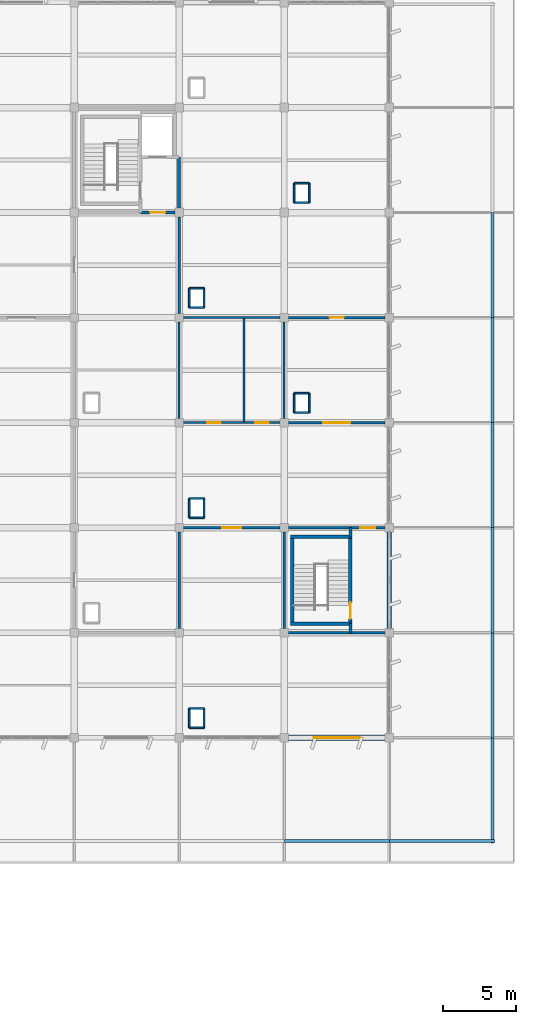
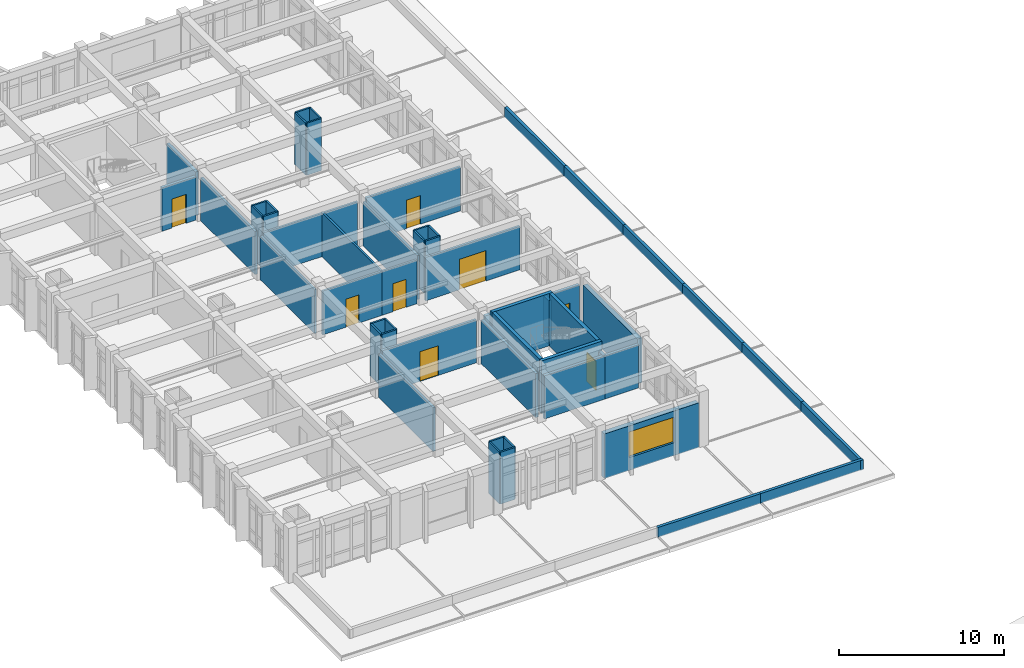
# One storey, part 56 of 62: 54 walls, 8 doors, 1 window, 9 openings.
"""IFC4 building model written with IfcOpenShell, lengths in metres."""

from ifc_helpers import new_model, si_unit, direction, frame, frame_2d, origin, place, context, subcontext, project, spatial, rectangle, extrude, material, layer, layer_set, type_object, element, fill, save


model = new_model("IFC4")

# Units and contexts
model_context = context("Model", 3, precision=1e-05, world=origin(), true_north=direction((0.0, 1.0)))
body_context = subcontext(model_context, "Body", "Model", "MODEL_VIEW")
ifc_project = project(units=[si_unit("LENGTHUNIT", "METRE"), si_unit("AREAUNIT", "SQUARE_METRE"), si_unit("VOLUMEUNIT", "CUBIC_METRE"), si_unit("PLANEANGLEUNIT", "RADIAN"), si_unit("MASSUNIT", "GRAM", prefix="KILO")], contexts=[model_context])

# Site, building, storey
site_placement = place(None, origin())
site = spatial("IfcSite", under=ifc_project, at=site_placement, CompositionType="ELEMENT")
building_placement = place(site_placement, origin())
building = spatial("IfcBuilding", under=site, at=building_placement, Name="Kavelor Marine Aquarium", CompositionType="ELEMENT")
storey_placement = place(building_placement, frame((0.0, 0.0, 13.5)))
storey = spatial("IfcBuildingStorey", under=building, at=storey_placement, Name="L03", CompositionType="ELEMENT", Elevation=13.5)

# Wall, opening, window
ifc_material_1 = material(Name="Concrete C45/55", Category="concrete")
ifc_layer_1 = layer(ifc_material_1, 0.360107421875)
ifc_layer_set_1 = layer_set([ifc_layer_1], Name="WL-EX1")
wall_type_1 = type_object("IfcWallType", Name="WL-EX1", PredefinedType="STANDARD", material=ifc_layer_set_1)
wall_1_placement = place(storey_placement, frame((146.905029296875, 60.39990234375, 0.0), z_axis=(0.0, 0.0, 1.0), x_axis=(-1.0, 0.0, 0.0)))
wall_1 = element("IfcWall", 1, at=wall_1_placement, inside=storey, type_object=wall_type_1, Name="ew:x:L03:19_08", PredefinedType="STANDARD", context=body_context, shape_type="SweptSolid", body=[
    extrude(rectangle(XDim=6.610107421875, YDim=0.360107421875, at=frame_2d((3.30517578125, 0.0))), origin(), (0.0, 0.0, 1.0), 3.300048828125),
])
opening_1_placement = place(wall_1_placement, frame((1.72998046875, 0.0, 0.949951171875)))
opening_1 = element("IfcOpeningElement", 2, at=opening_1_placement, cuts=wall_1, Name="Opening W21", PredefinedType="OPENING", context=body_context, shape_type="SweptSolid", body=[
    extrude(rectangle(XDim=3.14990234375, YDim=1.89990234375, at=frame_2d((1.574951171875, 0.949951171875))), frame((0.0, 0.18994140625, 0.0), z_axis=(0.0, -1.0, 0.0), x_axis=(1.0, 0.0, 0.0)), (0.0, 0.0, 1.0), 0.380107),
])
ifc_material_2 = material(Name="Anodised Aluminium Frame with Low-E Double Glazing", Category="aluminium")
window_type = type_object("IfcWindowType", Name="WIN-W21", PartitioningType="DOUBLE_PANEL_VERTICAL", PredefinedType="WINDOW", material=ifc_material_2)
window_placement = place(opening_1_placement, origin())
window = element("IfcWindow", 3, at=window_placement, inside=storey, type_object=window_type, Name="win:x:L03:19_08", OverallHeight=1.89990234375, OverallWidth=3.14990234375, PartitioningType="SINGLE_PANEL", PredefinedType="WINDOW", context=body_context, shape_type="SweptSolid", body=[
    extrude(rectangle(XDim=3.14990234375, YDim=1.89990234375, at=frame_2d((1.574951171875, 0.949951171875))), frame((0.0, 0.030029296875, 0.0), z_axis=(0.0, -1.0, 0.0), x_axis=(1.0, 0.0, 0.0)), (0.0, 0.0, 1.0), 0.06005859375),
])
fill(opening_1, window)

# Walls
ifc_material_3 = material(Name="Concrete C40/50", Category="concrete")
ifc_layer_2 = layer(ifc_material_3, 0.300048828125)
ifc_layer_set_2 = layer_set([ifc_layer_2], Name="WL-EX3")
wall_type_2 = type_object("IfcWallType", Name="WL-EX3", PredefinedType="STANDARD", material=ifc_layer_set_2)
wall_2_placement = place(storey_placement, frame((147.199951171875, 74.5048828125, 0.0), z_axis=(0.0, 0.0, 1.0), x_axis=(0.0, -1.0, 0.0)))
element("IfcWall", 4, at=wall_2_placement, inside=storey, type_object=wall_type_2, Name="ew:y:L03:20_09", PredefinedType="STANDARD", context=body_context, shape_type="SweptSolid", body=[
    extrude(rectangle(XDim=6.60986328125, YDim=0.300048828125, at=frame_2d((3.304931640625, 0.0))), origin(), (0.0, 0.0, 1.0), 3.320068359375),
])
ifc_material_4 = material(Name="Concrete C40/50", Category="concrete")
ifc_layer_3 = layer(ifc_material_4, 0.199951171875)
ifc_layer_set_3 = layer_set([ifc_layer_3], Name="WL-PR3")
wall_type_3 = type_object("IfcWallType", Name="WL-PR3", PredefinedType="PARAPET", material=ifc_layer_set_3)
for number, where, z_axis, x_axis, name in (
    (5, (140.0, 53.320068359375, 0.0), (0.0, 0.0, 1.0), (1.0, 0.0, 0.0), "par:s:L03:19_07"),
    (6, (147.199951171875, 53.320068359375, 0.0), (0.0, 0.0, 1.0), (1.0, 0.0, 0.0), "par:s:L03:20_07"),
    (7, (154.280029296875, 53.199951171875, 0.0), (0.0, 0.0, 1.0), (0.0, 1.0, 0.0), "par:e:L03:20_07"),
):
    element("IfcWall", number, at=place(storey_placement, frame(where, z_axis=z_axis, x_axis=x_axis)), inside=storey, type_object=wall_type_3, Name=name, PredefinedType="PARAPET", context=body_context, shape_type="SweptSolid", body=[
        extrude(rectangle(XDim=7.199951171875, YDim=0.199951171875, at=frame_2d((3.60009765625, 0.0))), origin(), (0.0, 0.0, 1.0), 0.719970703125),
    ])
wall_3_placement = place(storey_placement, frame((154.280029296875, 60.39990234375, 0.0), z_axis=(0.0, 0.0, 1.0), x_axis=(0.0, 1.0, 0.0)))
element("IfcWall", 8, at=wall_3_placement, inside=storey, type_object=wall_type_3, Name="par:e:L03:20_08", PredefinedType="PARAPET", context=body_context, shape_type="SweptSolid", body=[
    extrude(rectangle(XDim=7.2001953125, YDim=0.199951171875, at=frame_2d((3.60009765625, 0.0))), origin(), (0.0, 0.0, 1.0), 0.719970703125),
])
for number, where, z_axis, x_axis, name in (
    (9, (154.280029296875, 67.60009765625, 0.0), (0.0, 0.0, 1.0), (0.0, 1.0, 0.0), "par:e:L03:20_09"),
    (10, (154.280029296875, 74.800048828125, 0.0), (0.0, 0.0, 1.0), (0.0, 1.0, 0.0), "par:e:L03:20_10"),
    (11, (154.280029296875, 82.0, 0.0), (0.0, 0.0, 1.0), (0.0, 1.0, 0.0), "par:e:L03:20_11"),
    (12, (154.280029296875, 89.199951171875, 0.0), (0.0, 0.0, 1.0), (0.0, 1.0, 0.0), "par:e:L03:20_12"),
):
    element("IfcWall", number, at=place(storey_placement, frame(where, z_axis=z_axis, x_axis=x_axis)), inside=storey, type_object=wall_type_3, Name=name, PredefinedType="PARAPET", context=body_context, shape_type="SweptSolid", body=[
        extrude(rectangle(XDim=7.199951171875, YDim=0.199951171875, at=frame_2d((3.60009765625, 0.0))), origin(), (0.0, 0.0, 1.0), 0.719970703125),
    ])
ifc_material_5 = material(Name="Concrete Blockwork Partition", Category="masonry")
ifc_layer_4 = layer(ifc_material_5, 0.199951171875)
ifc_layer_set_4 = layer_set([ifc_layer_4], Name="WL-PT1")
wall_type_4 = type_object("IfcWallType", Name="WL-PT1", PredefinedType="PARTITIONING", material=ifc_layer_set_4)
wall_4_placement = place(storey_placement, frame((132.800048828125, 96.699951171875, 0.0), z_axis=(0.0, 0.0, 1.0), x_axis=(0.0, 1.0, 0.0)))
element("IfcWall", 13, at=wall_4_placement, inside=storey, type_object=wall_type_4, Name="pt:lob:C10:L03:e", PredefinedType="PARTITIONING", context=body_context, shape_type="SweptSolid", body=[
    extrude(rectangle(XDim=3.5, YDim=0.199951171875, at=frame_2d((1.75, 0.0))), origin(), (0.0, 0.0, 1.0), 3.25),
])

# Wall, opening, door
wall_5_placement = place(storey_placement, frame((130.139892578125, 96.39990234375, 0.0), z_axis=(0.0, 0.0, 1.0), x_axis=(1.0, 0.0, 0.0)))
wall_5 = element("IfcWall", 14, at=wall_5_placement, inside=storey, type_object=wall_type_4, Name="pt:lob:C10:L03:s", PredefinedType="PARTITIONING", context=body_context, shape_type="SweptSolid", body=[
    extrude(rectangle(XDim=2.360107421875, YDim=0.199951171875, at=frame_2d((1.18017578125, 0.0))), origin(), (0.0, 0.0, 1.0), 3.219970703125),
])
opening_2_placement = place(wall_5_placement, frame((0.669921875, 0.0, 0.0)))
opening_2 = element("IfcOpeningElement", 15, at=opening_2_placement, cuts=wall_5, Name="Opening SD1", PredefinedType="OPENING", context=body_context, shape_type="SweptSolid", body=[
    extrude(rectangle(XDim=1.02001953125, YDim=2.14990234375, at=frame_2d((0.510009765625, 1.074951171875))), frame((0.0, 0.10986328125, 0.0), z_axis=(0.0, -1.0, 0.0), x_axis=(1.0, 0.0, 0.0)), (0.0, 0.0, 1.0), 0.219951),
])
ifc_material_6 = material(Name="Fire-Rated Corridor Compartment Door")
door_type_1 = type_object("IfcDoorType", Name="DR-SD1", OperationType="NOTDEFINED", PredefinedType="DOOR", material=ifc_material_6)
door_1_placement = place(opening_2_placement, origin())
door_1 = element("IfcDoor", 16, at=door_1_placement, inside=storey, type_object=door_type_1, Name="Core Lobby Fire Door C10-L03", OperationType="SINGLE_SWING_RIGHT", OverallHeight=2.14990234375, OverallWidth=1.02001953125, PredefinedType="DOOR", context=body_context, shape_type="SweptSolid", body=[
    extrude(rectangle(XDim=1.02001953125, YDim=2.14990234375, at=frame_2d((0.510009765625, 1.074951171875))), frame((0.0, 0.02490234375, 0.0), z_axis=(0.0, -1.0, 0.0), x_axis=(1.0, 0.0, 0.0)), (0.0, 0.0, 1.0), 0.050048828125),
])
fill(opening_2, door_1)

# Walls
wall_6_placement = place(storey_placement, frame((144.5400390625, 67.60009765625, 0.0), z_axis=(0.0, 0.0, 1.0), x_axis=(0.0, 1.0, 0.0)))
element("IfcWall", 17, at=wall_6_placement, inside=storey, type_object=wall_type_4, Name="pt:st_close:s:C11:L03", PredefinedType="PARTITIONING", context=body_context, shape_type="SweptSolid", body=[
    extrude(rectangle(XDim=0.619873046875, YDim=0.199951171875, at=frame_2d((0.31005859375, 0.0))), origin(), (0.0, 0.0, 1.0), 3.199951171875),
])
wall_7_placement = place(storey_placement, frame((144.5400390625, 74.179931640625, 0.0), z_axis=(0.0, 0.0, 1.0), x_axis=(0.0, 1.0, 0.0)))
element("IfcWall", 18, at=wall_7_placement, inside=storey, type_object=wall_type_4, Name="pt:st_close:n:C11:L03", PredefinedType="PARTITIONING", context=body_context, shape_type="SweptSolid", body=[
    extrude(rectangle(XDim=0.6201171875, YDim=0.199951171875, at=frame_2d((0.31005859375, 0.0))), origin(), (0.0, 0.0, 1.0), 3.27001953125),
])
wall_8_placement = place(storey_placement, frame((140.0, 67.89990234375, 0.0), z_axis=(0.0, 0.0, 1.0), x_axis=(0.0, 1.0, 0.0)))
element("IfcWall", 19, at=wall_8_placement, inside=storey, type_object=wall_type_4, Name="pt:lob:C11:L03:w", PredefinedType="PARTITIONING", context=body_context, shape_type="SweptSolid", body=[
    extrude(rectangle(XDim=6.60009765625, YDim=0.199951171875, at=frame_2d((3.300048828125, 0.0))), origin(), (0.0, 0.0, 1.0), 3.25),
])
wall_9_placement = place(storey_placement, frame((140.300048828125, 67.60009765625, 0.0), z_axis=(0.0, 0.0, 1.0), x_axis=(1.0, 0.0, 0.0)))
element("IfcWall", 20, at=wall_9_placement, inside=storey, type_object=wall_type_4, Name="pt:lob:C11:L03:s_st", PredefinedType="PARTITIONING", context=body_context, shape_type="SweptSolid", body=[
    extrude(rectangle(XDim=4.239990234375, YDim=0.199951171875, at=frame_2d((2.1201171875, 0.0))), origin(), (0.0, 0.0, 1.0), 3.199951171875),
])
wall_10_placement = place(storey_placement, frame((144.5400390625, 67.60009765625, 0.0), z_axis=(0.0, 0.0, 1.0), x_axis=(1.0, 0.0, 0.0)))
element("IfcWall", 21, at=wall_10_placement, inside=storey, type_object=wall_type_4, Name="pt:lob:C11:L03:s", PredefinedType="PARTITIONING", context=body_context, shape_type="SweptSolid", body=[
    extrude(rectangle(XDim=2.35986328125, YDim=0.199951171875, at=frame_2d((1.179931640625, 0.0))), origin(), (0.0, 0.0, 1.0), 3.199951171875),
])
wall_11_placement = place(storey_placement, frame((140.300048828125, 74.800048828125, 0.0), z_axis=(0.0, 0.0, 1.0), x_axis=(1.0, 0.0, 0.0)))
element("IfcWall", 22, at=wall_11_placement, inside=storey, type_object=wall_type_4, Name="pt:lob:C11:L03:n_st", PredefinedType="PARTITIONING", context=body_context, shape_type="SweptSolid", body=[
    extrude(rectangle(XDim=4.239990234375, YDim=0.199951171875, at=frame_2d((2.1201171875, 0.0))), origin(), (0.0, 0.0, 1.0), 3.27001953125),
])

# Wall, opening, door
wall_12_placement = place(storey_placement, frame((144.5400390625, 74.800048828125, 0.0), z_axis=(0.0, 0.0, 1.0), x_axis=(1.0, 0.0, 0.0)))
wall_12 = element("IfcWall", 23, at=wall_12_placement, inside=storey, type_object=wall_type_4, Name="pt:lob:C11:L03:n", PredefinedType="PARTITIONING", context=body_context, shape_type="SweptSolid", body=[
    extrude(rectangle(XDim=2.35986328125, YDim=0.199951171875, at=frame_2d((1.179931640625, 0.0))), origin(), (0.0, 0.0, 1.0), 3.27001953125),
])
opening_3_placement = place(wall_12_placement, frame((0.669921875, 0.0, 0.0)))
opening_3 = element("IfcOpeningElement", 24, at=opening_3_placement, cuts=wall_12, Name="Opening SD1", PredefinedType="OPENING", context=body_context, shape_type="SweptSolid", body=[
    extrude(rectangle(XDim=1.02001953125, YDim=2.14990234375, at=frame_2d((0.510009765625, 1.074951171875))), frame((0.0, 0.10986328125, 0.0), z_axis=(0.0, -1.0, 0.0), x_axis=(1.0, 0.0, 0.0)), (0.0, 0.0, 1.0), 0.219951),
])
door_2_placement = place(opening_3_placement, origin())
door_2 = element("IfcDoor", 25, at=door_2_placement, inside=storey, type_object=door_type_1, Name="Core Lobby Fire Door C11-L03", OperationType="SINGLE_SWING_RIGHT", OverallHeight=2.14990234375, OverallWidth=1.02001953125, PredefinedType="DOOR", context=body_context, shape_type="SweptSolid", body=[
    extrude(rectangle(XDim=1.02001953125, YDim=2.14990234375, at=frame_2d((0.510009765625, 1.074951171875))), frame((0.0, 0.02490234375, 0.0), z_axis=(0.0, -1.0, 0.0), x_axis=(1.0, 0.0, 0.0)), (0.0, 0.0, 1.0), 0.050048828125),
])
fill(opening_3, door_2)

# Walls
ifc_material_7 = material(Name="Acoustic Gypsum Stud Partition")
ifc_layer_5 = layer(ifc_material_7, 0.159912109375)
ifc_layer_set_5 = layer_set([ifc_layer_5], Name="WL-PT2")
wall_type_5 = type_object("IfcWallType", Name="WL-PT2", PredefinedType="PARTITIONING", material=ifc_layer_set_5)
wall_13_placement = place(storey_placement, frame((132.800048828125, 67.89990234375, 0.0), z_axis=(0.0, 0.0, 1.0), x_axis=(0.0, 1.0, 0.0)))
element("IfcWall", 26, at=wall_13_placement, inside=storey, type_object=wall_type_5, Name="pt:y:L03:17_09", PredefinedType="PARTITIONING", context=body_context, shape_type="SweptSolid", body=[
    extrude(rectangle(XDim=6.60009765625, YDim=0.159912109375, at=frame_2d((3.300048828125, 0.0))), origin(), (0.0, 0.0, 1.0), 3.25),
])
wall_14_placement = place(storey_placement, frame((132.800048828125, 89.5, 0.0), z_axis=(0.0, 0.0, 1.0), x_axis=(0.0, 1.0, 0.0)))
element("IfcWall", 27, at=wall_14_placement, inside=storey, type_object=wall_type_5, Name="pt:y:L03:17_12", PredefinedType="PARTITIONING", context=body_context, shape_type="SweptSolid", body=[
    extrude(rectangle(XDim=6.60009765625, YDim=0.159912109375, at=frame_2d((3.300048828125, 0.0))), origin(), (0.0, 0.0, 1.0), 3.199951171875),
])

# Wall, opening, door
wall_15_placement = place(storey_placement, frame((133.10009765625, 74.800048828125, 0.0), z_axis=(0.0, 0.0, 1.0), x_axis=(1.0, 0.0, 0.0)))
wall_15 = element("IfcWall", 28, at=wall_15_placement, inside=storey, type_object=wall_type_5, Name="pt:x:L03:18_09", PredefinedType="PARTITIONING", context=body_context, shape_type="SweptSolid", body=[
    extrude(rectangle(XDim=6.599853515625, YDim=0.159912109375, at=frame_2d((3.2998046875, 0.0))), origin(), (0.0, 0.0, 1.0), 3.199951171875),
])
opening_4_placement = place(wall_15_placement, frame((2.659912109375, 0.0, 0.0)))
opening_4 = element("IfcOpeningElement", 29, at=opening_4_placement, cuts=wall_15, Name="Opening D10", PredefinedType="OPENING", context=body_context, shape_type="SweptSolid", body=[
    extrude(rectangle(XDim=1.280029296875, YDim=2.199951171875, at=frame_2d((0.64013671875, 1.10009765625))), frame((0.0, 0.08984375, 0.0), z_axis=(0.0, -1.0, 0.0), x_axis=(1.0, 0.0, 0.0)), (0.0, 0.0, 1.0), 0.179912),
])
ifc_material_8 = material(Name="Equipment Store Wide Leaf Door")
door_type_2 = type_object("IfcDoorType", Name="DR-D10", OperationType="NOTDEFINED", PredefinedType="DOOR", material=ifc_material_8)
door_3_placement = place(opening_4_placement, origin())
door_3 = element("IfcDoor", 30, at=door_3_placement, inside=storey, type_object=door_type_2, Name="dr:rm:pt:x:L03:18_09:1", OperationType="SINGLE_SWING_LEFT", OverallHeight=2.199951171875, OverallWidth=1.280029296875, PredefinedType="DOOR", context=body_context, shape_type="SweptSolid", body=[
    extrude(rectangle(XDim=1.280029296875, YDim=2.199951171875, at=frame_2d((0.64013671875, 1.10009765625))), frame((0.0, 0.02490234375, 0.0), z_axis=(0.0, -1.0, 0.0), x_axis=(1.0, 0.0, 0.0)), (0.0, 0.0, 1.0), 0.050048828125),
])
fill(opening_4, door_3)

wall_16_placement = place(storey_placement, frame((140.300048828125, 82.0, 0.0), z_axis=(0.0, 0.0, 1.0), x_axis=(1.0, 0.0, 0.0)))
wall_16 = element("IfcWall", 31, at=wall_16_placement, inside=storey, type_object=wall_type_5, Name="pt:x:L03:19_10", PredefinedType="PARTITIONING", context=body_context, shape_type="SweptSolid", body=[
    extrude(rectangle(XDim=6.599853515625, YDim=0.159912109375, at=frame_2d((3.2998046875, 0.0))), origin(), (0.0, 0.0, 1.0), 3.219970703125),
])
opening_5_placement = place(wall_16_placement, frame((2.3701171875, 0.0, 0.0)))
opening_5 = element("IfcOpeningElement", 32, at=opening_5_placement, cuts=wall_16, Name="Opening D13", PredefinedType="OPENING", context=body_context, shape_type="SweptSolid", body=[
    extrude(rectangle(XDim=1.860107421875, YDim=2.260009765625, at=frame_2d((0.93017578125, 1.1298828125))), frame((0.0, 0.08984375, 0.0), z_axis=(0.0, -1.0, 0.0), x_axis=(1.0, 0.0, 0.0)), (0.0, 0.0, 1.0), 0.179912),
])
ifc_material_9 = material(Name="Main Foyer Exhibition Double Door")
door_type_3 = type_object("IfcDoorType", Name="DR-D13", OperationType="NOTDEFINED", PredefinedType="DOOR", material=ifc_material_9)
door_4_placement = place(opening_5_placement, origin())
door_4 = element("IfcDoor", 33, at=door_4_placement, inside=storey, type_object=door_type_3, Name="dr:rm:pt:x:L03:19_10:0", OperationType="DOUBLE_DOOR_SINGLE_SWING", OverallHeight=2.260009765625, OverallWidth=1.860107421875, PredefinedType="DOOR", context=body_context, shape_type="SweptSolid", body=[
    extrude(rectangle(XDim=1.860107421875, YDim=2.260009765625, at=frame_2d((0.93017578125, 1.1298828125))), frame((0.0, 0.02490234375, 0.0), z_axis=(0.0, -1.0, 0.0), x_axis=(1.0, 0.0, 0.0)), (0.0, 0.0, 1.0), 0.050048828125),
])
fill(opening_5, door_4)

wall_17_placement = place(storey_placement, frame((140.300048828125, 89.199951171875, 0.0), z_axis=(0.0, 0.0, 1.0), x_axis=(1.0, 0.0, 0.0)))
wall_17 = element("IfcWall", 34, at=wall_17_placement, inside=storey, type_object=wall_type_5, Name="pt:x:L03:19_11", PredefinedType="PARTITIONING", context=body_context, shape_type="SweptSolid", body=[
    extrude(rectangle(XDim=6.599853515625, YDim=0.159912109375, at=frame_2d((3.2998046875, 0.0))), origin(), (0.0, 0.0, 1.0), 3.27001953125),
])
opening_6_placement = place(wall_17_placement, frame((2.81005859375, 0.0, 0.0)))
opening_6 = element("IfcOpeningElement", 35, at=opening_6_placement, cuts=wall_17, Name="Opening D07", PredefinedType="OPENING", context=body_context, shape_type="SweptSolid", body=[
    extrude(rectangle(XDim=0.97998046875, YDim=2.1201171875, at=frame_2d((0.489990234375, 1.06005859375))), frame((0.0, 0.08984375, 0.0), z_axis=(0.0, -1.0, 0.0), x_axis=(1.0, 0.0, 0.0)), (0.0, 0.0, 1.0), 0.179912),
])
ifc_material_10 = material(Name="Research Write-Up Timber Door", Category="wood")
door_type_4 = type_object("IfcDoorType", Name="DR-D07", OperationType="NOTDEFINED", PredefinedType="DOOR", material=ifc_material_10)
door_5_placement = place(opening_6_placement, origin())
door_5 = element("IfcDoor", 36, at=door_5_placement, inside=storey, type_object=door_type_4, Name="dr:rm:pt:x:L03:19_11:0", OperationType="SINGLE_SWING_LEFT", OverallHeight=2.1201171875, OverallWidth=0.97998046875, PredefinedType="DOOR", context=body_context, shape_type="SweptSolid", body=[
    extrude(rectangle(XDim=0.97998046875, YDim=2.1201171875, at=frame_2d((0.489990234375, 1.06005859375))), frame((0.0, 0.02490234375, 0.0), z_axis=(0.0, -1.0, 0.0), x_axis=(1.0, 0.0, 0.0)), (0.0, 0.0, 1.0), 0.050048828125),
])
fill(opening_6, door_5)

# Wall
ifc_material_11 = material(Name="Moisture-Resistant Marine Partition")
ifc_layer_6 = layer(ifc_material_11, 0.139892578125)
ifc_layer_set_6 = layer_set([ifc_layer_6], Name="WL-PT3")
wall_type_6 = type_object("IfcWallType", Name="WL-PT3", PredefinedType="PARTITIONING", material=ifc_layer_set_6)
wall_18_placement = place(storey_placement, frame((137.25, 82.0, 0.0), z_axis=(0.0, 0.0, 1.0), x_axis=(0.0, 1.0, 0.0)))
element("IfcWall", 37, at=wall_18_placement, inside=storey, type_object=wall_type_6, Name="pt:san:div:L03:18_11", PredefinedType="PARTITIONING", context=body_context, shape_type="SweptSolid", body=[
    extrude(rectangle(XDim=7.199951171875, YDim=0.139892578125, at=frame_2d((3.60009765625, 0.0))), origin(), (0.0, 0.0, 1.0), 3.280029296875),
])

# Wall, opening, door
wall_19_placement = place(storey_placement, frame((133.10009765625, 82.0, 0.0), z_axis=(0.0, 0.0, 1.0), x_axis=(1.0, 0.0, 0.0)))
wall_19 = element("IfcWall", 38, at=wall_19_placement, inside=storey, type_object=wall_type_6, Name="pt:san:f1:L03:18_11", PredefinedType="PARTITIONING", context=body_context, shape_type="SweptSolid", body=[
    extrude(rectangle(XDim=4.14990234375, YDim=0.139892578125, at=frame_2d((2.074951171875, 0.0))), origin(), (0.0, 0.0, 1.0), 3.25),
])
opening_7_placement = place(wall_19_placement, frame((1.614990234375, 0.0, 0.0)))
opening_7 = element("IfcOpeningElement", 39, at=opening_7_placement, cuts=wall_19, Name="Opening D02", PredefinedType="OPENING", context=body_context, shape_type="SweptSolid", body=[
    extrude(rectangle(XDim=0.919921875, YDim=2.080078125, at=frame_2d((0.4599609375, 1.0400390625))), frame((0.0, 0.079833984375, 0.0), z_axis=(0.0, -1.0, 0.0), x_axis=(1.0, 0.0, 0.0)), (0.0, 0.0, 1.0), 0.159893),
])
ifc_material_12 = material(Name="Moisture-Resistant Laminate Sanitary Door")
door_type_5 = type_object("IfcDoorType", Name="DR-D02", OperationType="NOTDEFINED", PredefinedType="DOOR", material=ifc_material_12)
door_6_placement = place(opening_7_placement, origin())
door_6 = element("IfcDoor", 40, at=door_6_placement, inside=storey, type_object=door_type_5, Name="dr:wc:L03:18_11", OperationType="SINGLE_SWING_LEFT", OverallHeight=2.080078125, OverallWidth=0.919921875, PredefinedType="DOOR", context=body_context, shape_type="SweptSolid", body=[
    extrude(rectangle(XDim=0.919921875, YDim=2.080078125, at=frame_2d((0.4599609375, 1.0400390625))), frame((0.0, 0.02490234375, 0.0), z_axis=(0.0, -1.0, 0.0), x_axis=(1.0, 0.0, 0.0)), (0.0, 0.0, 1.0), 0.050048828125),
])
fill(opening_7, door_6)

wall_20_placement = place(storey_placement, frame((137.25, 82.0, 0.0), z_axis=(0.0, 0.0, 1.0), x_axis=(1.0, 0.0, 0.0)))
wall_20 = element("IfcWall", 41, at=wall_20_placement, inside=storey, type_object=wall_type_6, Name="pt:san:f2:L03:18_11", PredefinedType="PARTITIONING", context=body_context, shape_type="SweptSolid", body=[
    extrude(rectangle(XDim=2.449951171875, YDim=0.139892578125, at=frame_2d((1.22509765625, 0.0))), origin(), (0.0, 0.0, 1.0), 3.25),
])
opening_8_placement = place(wall_20_placement, frame((0.764892578125, 0.0, 0.0)))
opening_8 = element("IfcOpeningElement", 42, at=opening_8_placement, cuts=wall_20, Name="Opening D02", PredefinedType="OPENING", context=body_context, shape_type="SweptSolid", body=[
    extrude(rectangle(XDim=0.919921875, YDim=2.080078125, at=frame_2d((0.4599609375, 1.0400390625))), frame((0.0, 0.079833984375, 0.0), z_axis=(0.0, -1.0, 0.0), x_axis=(1.0, 0.0, 0.0)), (0.0, 0.0, 1.0), 0.159893),
])
door_7_placement = place(opening_8_placement, origin())
door_7 = element("IfcDoor", 43, at=door_7_placement, inside=storey, type_object=door_type_5, Name="dr:awc:L03:18_11", OperationType="SINGLE_SWING_RIGHT", OverallHeight=2.080078125, OverallWidth=0.919921875, PredefinedType="DOOR", context=body_context, shape_type="SweptSolid", body=[
    extrude(rectangle(XDim=0.919921875, YDim=2.080078125, at=frame_2d((0.4599609375, 1.0400390625))), frame((0.0, 0.02490234375, 0.0), z_axis=(0.0, -1.0, 0.0), x_axis=(1.0, 0.0, 0.0)), (0.0, 0.0, 1.0), 0.050048828125),
])
fill(opening_8, door_7)

# Walls
wall_21_placement = place(storey_placement, frame((133.10009765625, 89.199951171875, 0.0), z_axis=(0.0, 0.0, 1.0), x_axis=(1.0, 0.0, 0.0)))
element("IfcWall", 44, at=wall_21_placement, inside=storey, type_object=wall_type_6, Name="pt:san:enc_n:L03:18_11", PredefinedType="PARTITIONING", context=body_context, shape_type="SweptSolid", body=[
    extrude(rectangle(XDim=6.599853515625, YDim=0.139892578125, at=frame_2d((3.2998046875, 0.0))), origin(), (0.0, 0.0, 1.0), 3.199951171875),
])
for number, where, z_axis, x_axis, name in (
    (45, (132.800048828125, 82.300048828125, 0.0), (0.0, 0.0, 1.0), (0.0, 1.0, 0.0), "pt:san:enc_w:L03:18_11"),
    (46, (140.0, 82.300048828125, 0.0), (0.0, 0.0, 1.0), (0.0, 1.0, 0.0), "pt:san:enc_e:L03:18_11"),
):
    element("IfcWall", number, at=place(storey_placement, frame(where, z_axis=z_axis, x_axis=x_axis)), inside=storey, type_object=wall_type_6, Name=name, PredefinedType="PARTITIONING", context=body_context, shape_type="SweptSolid", body=[
        extrude(rectangle(XDim=6.599853515625, YDim=0.139892578125, at=frame_2d((3.2998046875, 0.0))), origin(), (0.0, 0.0, 1.0), 3.25),
    ])
ifc_material_13 = material(Name="Lightweight Drywall Partition")
ifc_layer_7 = layer(ifc_material_13, 0.1201171875)
ifc_layer_set_7 = layer_set([ifc_layer_7], Name="WL-PT4")
wall_type_7 = type_object("IfcWallType", Name="WL-PT4", PredefinedType="PARTITIONING", material=ifc_layer_set_7)
for number, where, z_axis, x_axis, name in (
    (47, (133.489990234375, 61.090087890625, 0.0), (0.0, 0.0, 1.0), (1.0, 0.0, 0.0), "riser:s:L03:18_08"),
    (48, (133.489990234375, 62.409912109375, 0.0), (0.0, 0.0, 1.0), (1.0, 0.0, 0.0), "riser:n:L03:18_08"),
):
    element("IfcWall", number, at=place(storey_placement, frame(where, z_axis=z_axis, x_axis=x_axis)), inside=storey, type_object=wall_type_7, Name=name, PredefinedType="PARTITIONING", context=body_context, shape_type="SweptSolid", body=[
        extrude(rectangle(XDim=1.02001953125, YDim=0.1201171875, at=frame_2d((0.510009765625, 0.0))), origin(), (0.0, 0.0, 1.0), 3.840087890625),
    ])
for number, where, z_axis, x_axis, name in (
    (49, (133.489990234375, 61.090087890625, 0.0), (0.0, 0.0, 1.0), (0.0, 1.0, 0.0), "riser:w:L03:18_08"),
    (50, (134.510009765625, 61.090087890625, 0.0), (0.0, 0.0, 1.0), (0.0, 1.0, 0.0), "riser:e:L03:18_08"),
):
    element("IfcWall", number, at=place(storey_placement, frame(where, z_axis=z_axis, x_axis=x_axis)), inside=storey, type_object=wall_type_7, Name=name, PredefinedType="PARTITIONING", context=body_context, shape_type="SweptSolid", body=[
        extrude(rectangle(XDim=1.31982421875, YDim=0.1201171875, at=frame_2d((0.659912109375, 0.0))), origin(), (0.0, 0.0, 1.0), 3.840087890625),
    ])
for number, where, z_axis, x_axis, name in (
    (51, (133.489990234375, 75.489990234375, 0.0), (0.0, 0.0, 1.0), (1.0, 0.0, 0.0), "riser:s:L03:18_10"),
    (52, (133.489990234375, 76.81005859375, 0.0), (0.0, 0.0, 1.0), (1.0, 0.0, 0.0), "riser:n:L03:18_10"),
):
    element("IfcWall", number, at=place(storey_placement, frame(where, z_axis=z_axis, x_axis=x_axis)), inside=storey, type_object=wall_type_7, Name=name, PredefinedType="PARTITIONING", context=body_context, shape_type="SweptSolid", body=[
        extrude(rectangle(XDim=1.02001953125, YDim=0.1201171875, at=frame_2d((0.510009765625, 0.0))), origin(), (0.0, 0.0, 1.0), 3.840087890625),
    ])
for number, where, z_axis, x_axis, name in (
    (53, (133.489990234375, 75.489990234375, 0.0), (0.0, 0.0, 1.0), (0.0, 1.0, 0.0), "riser:w:L03:18_10"),
    (54, (134.510009765625, 75.489990234375, 0.0), (0.0, 0.0, 1.0), (0.0, 1.0, 0.0), "riser:e:L03:18_10"),
):
    element("IfcWall", number, at=place(storey_placement, frame(where, z_axis=z_axis, x_axis=x_axis)), inside=storey, type_object=wall_type_7, Name=name, PredefinedType="PARTITIONING", context=body_context, shape_type="SweptSolid", body=[
        extrude(rectangle(XDim=1.320068359375, YDim=0.1201171875, at=frame_2d((0.66015625, 0.0))), origin(), (0.0, 0.0, 1.0), 3.840087890625),
    ])
for number, where, z_axis, x_axis, name in (
    (55, (133.489990234375, 89.889892578125, 0.0), (0.0, 0.0, 1.0), (1.0, 0.0, 0.0), "riser:s:L03:18_12"),
    (56, (133.489990234375, 91.2099609375, 0.0), (0.0, 0.0, 1.0), (1.0, 0.0, 0.0), "riser:n:L03:18_12"),
):
    element("IfcWall", number, at=place(storey_placement, frame(where, z_axis=z_axis, x_axis=x_axis)), inside=storey, type_object=wall_type_7, Name=name, PredefinedType="PARTITIONING", context=body_context, shape_type="SweptSolid", body=[
        extrude(rectangle(XDim=1.02001953125, YDim=0.1201171875, at=frame_2d((0.510009765625, 0.0))), origin(), (0.0, 0.0, 1.0), 3.840087890625),
    ])
for number, where, z_axis, x_axis, name in (
    (57, (133.489990234375, 89.889892578125, 0.0), (0.0, 0.0, 1.0), (0.0, 1.0, 0.0), "riser:w:L03:18_12"),
    (58, (134.510009765625, 89.889892578125, 0.0), (0.0, 0.0, 1.0), (0.0, 1.0, 0.0), "riser:e:L03:18_12"),
):
    element("IfcWall", number, at=place(storey_placement, frame(where, z_axis=z_axis, x_axis=x_axis)), inside=storey, type_object=wall_type_7, Name=name, PredefinedType="PARTITIONING", context=body_context, shape_type="SweptSolid", body=[
        extrude(rectangle(XDim=1.320068359375, YDim=0.1201171875, at=frame_2d((0.66015625, 0.0))), origin(), (0.0, 0.0, 1.0), 3.840087890625),
    ])
for number, where, z_axis, x_axis, name in (
    (59, (140.68994140625, 82.68994140625, 0.0), (0.0, 0.0, 1.0), (1.0, 0.0, 0.0), "riser:s:L03:19_11"),
    (60, (140.68994140625, 84.010009765625, 0.0), (0.0, 0.0, 1.0), (1.0, 0.0, 0.0), "riser:n:L03:19_11"),
):
    element("IfcWall", number, at=place(storey_placement, frame(where, z_axis=z_axis, x_axis=x_axis)), inside=storey, type_object=wall_type_7, Name=name, PredefinedType="PARTITIONING", context=body_context, shape_type="SweptSolid", body=[
        extrude(rectangle(XDim=1.02001953125, YDim=0.1201171875, at=frame_2d((0.510009765625, 0.0))), origin(), (0.0, 0.0, 1.0), 3.860107421875),
    ])
for number, where, z_axis, x_axis, name in (
    (61, (140.68994140625, 82.68994140625, 0.0), (0.0, 0.0, 1.0), (0.0, 1.0, 0.0), "riser:w:L03:19_11"),
    (62, (141.7099609375, 82.68994140625, 0.0), (0.0, 0.0, 1.0), (0.0, 1.0, 0.0), "riser:e:L03:19_11"),
):
    element("IfcWall", number, at=place(storey_placement, frame(where, z_axis=z_axis, x_axis=x_axis)), inside=storey, type_object=wall_type_7, Name=name, PredefinedType="PARTITIONING", context=body_context, shape_type="SweptSolid", body=[
        extrude(rectangle(XDim=1.320068359375, YDim=0.1201171875, at=frame_2d((0.66015625, 0.0))), origin(), (0.0, 0.0, 1.0), 3.860107421875),
    ])
for number, where, z_axis, x_axis, name in (
    (63, (140.68994140625, 97.090087890625, 0.0), (0.0, 0.0, 1.0), (1.0, 0.0, 0.0), "riser:s:L03:19_13"),
    (64, (140.68994140625, 98.409912109375, 0.0), (0.0, 0.0, 1.0), (1.0, 0.0, 0.0), "riser:n:L03:19_13"),
):
    element("IfcWall", number, at=place(storey_placement, frame(where, z_axis=z_axis, x_axis=x_axis)), inside=storey, type_object=wall_type_7, Name=name, PredefinedType="PARTITIONING", context=body_context, shape_type="SweptSolid", body=[
        extrude(rectangle(XDim=1.02001953125, YDim=0.1201171875, at=frame_2d((0.510009765625, 0.0))), origin(), (0.0, 0.0, 1.0), 3.860107421875),
    ])
for number, where, z_axis, x_axis, name in (
    (65, (140.68994140625, 97.090087890625, 0.0), (0.0, 0.0, 1.0), (0.0, 1.0, 0.0), "riser:w:L03:19_13"),
    (66, (141.7099609375, 97.090087890625, 0.0), (0.0, 0.0, 1.0), (0.0, 1.0, 0.0), "riser:e:L03:19_13"),
):
    element("IfcWall", number, at=place(storey_placement, frame(where, z_axis=z_axis, x_axis=x_axis)), inside=storey, type_object=wall_type_7, Name=name, PredefinedType="PARTITIONING", context=body_context, shape_type="SweptSolid", body=[
        extrude(rectangle(XDim=1.31982421875, YDim=0.1201171875, at=frame_2d((0.659912109375, 0.0))), origin(), (0.0, 0.0, 1.0), 3.860107421875),
    ])
ifc_material_14 = material(Name="Concrete C40/50", Category="concrete")
ifc_layer_8 = layer(ifc_material_14, 0.35009765625)
ifc_layer_set_8 = layer_set([ifc_layer_8], Name="WL-SW2")
wall_type_8 = type_object("IfcWallType", Name="WL-SW2", PredefinedType="SHEAR", material=ifc_layer_set_8)
for number, where, z_axis, x_axis, name in (
    (67, (140.419921875, 68.219970703125, 0.0), (0.0, 0.0, 1.0), (1.0, 0.0, 0.0), "cw_st:s:C11:L03"),
    (68, (140.419921875, 74.179931640625, 0.0), (0.0, 0.0, 1.0), (1.0, 0.0, 0.0), "cw_st:n:C11:L03"),
):
    element("IfcWall", number, at=place(storey_placement, frame(where, z_axis=z_axis, x_axis=x_axis)), inside=storey, type_object=wall_type_8, Name=name, PredefinedType="SHEAR", context=body_context, shape_type="SweptSolid", body=[
        extrude(rectangle(XDim=4.239990234375, YDim=0.239990234375, at=frame_2d((2.1201171875, 0.0))), origin(), (0.0, 0.0, 1.0), 3.8798828125),
    ])
wall_22_placement = place(storey_placement, frame((140.5400390625, 68.340087890625, 0.0), z_axis=(0.0, 0.0, 1.0), x_axis=(0.0, 1.0, 0.0)))
element("IfcWall", 69, at=wall_22_placement, inside=storey, type_object=wall_type_8, Name="cw_st:w:C11:L03", PredefinedType="SHEAR", context=body_context, shape_type="SweptSolid", body=[
    extrude(rectangle(XDim=5.719970703125, YDim=0.239990234375, at=frame_2d((2.85986328125, 0.0))), origin(), (0.0, 0.0, 1.0), 3.8798828125),
])

# Wall, opening, door
wall_23_placement = place(storey_placement, frame((144.5400390625, 68.340087890625, 0.0), z_axis=(0.0, 0.0, 1.0), x_axis=(0.0, 1.0, 0.0)))
wall_23 = element("IfcWall", 70, at=wall_23_placement, inside=storey, type_object=wall_type_8, Name="cw_st:e:C11:L03", PredefinedType="SHEAR", context=body_context, shape_type="SweptSolid", body=[
    extrude(rectangle(XDim=5.719970703125, YDim=0.239990234375, at=frame_2d((2.85986328125, 0.0))), origin(), (0.0, 0.0, 1.0), 3.8798828125),
])
opening_9_placement = place(wall_23_placement, frame((0.219970703125, 0.0, 0.0)))
opening_9 = element("IfcOpeningElement", 71, at=opening_9_placement, cuts=wall_23, Name="Opening FD1", PredefinedType="OPENING", context=body_context, shape_type="SweptSolid", body=[
    extrude(rectangle(XDim=1.1201171875, YDim=2.14990234375, at=frame_2d((0.56005859375, 1.074951171875))), frame((0.0, 0.1298828125, 0.0), z_axis=(0.0, -1.0, 0.0), x_axis=(1.0, 0.0, 0.0)), (0.0, 0.0, 1.0), 0.25999),
])
ifc_material_15 = material(Name="Fire-Rated Steel Stair and Core Door", Category="steel")
door_type_6 = type_object("IfcDoorType", Name="DR-FD1", OperationType="NOTDEFINED", PredefinedType="DOOR", material=ifc_material_15)
door_8_placement = place(opening_9_placement, origin())
door_8 = element("IfcDoor", 72, at=door_8_placement, inside=storey, type_object=door_type_6, Name="Stair Fire Door ST11-L03", OperationType="SINGLE_SWING_LEFT", OverallHeight=2.14990234375, OverallWidth=1.1201171875, PredefinedType="DOOR", context=body_context, shape_type="SweptSolid", body=[
    extrude(rectangle(XDim=1.1201171875, YDim=2.14990234375, at=frame_2d((0.56005859375, 1.074951171875))), frame((0.0, 0.02490234375, 0.0), z_axis=(0.0, -1.0, 0.0), x_axis=(1.0, 0.0, 0.0)), (0.0, 0.0, 1.0), 0.050048828125),
])
fill(opening_9, door_8)

save(model, "model.ifc")
